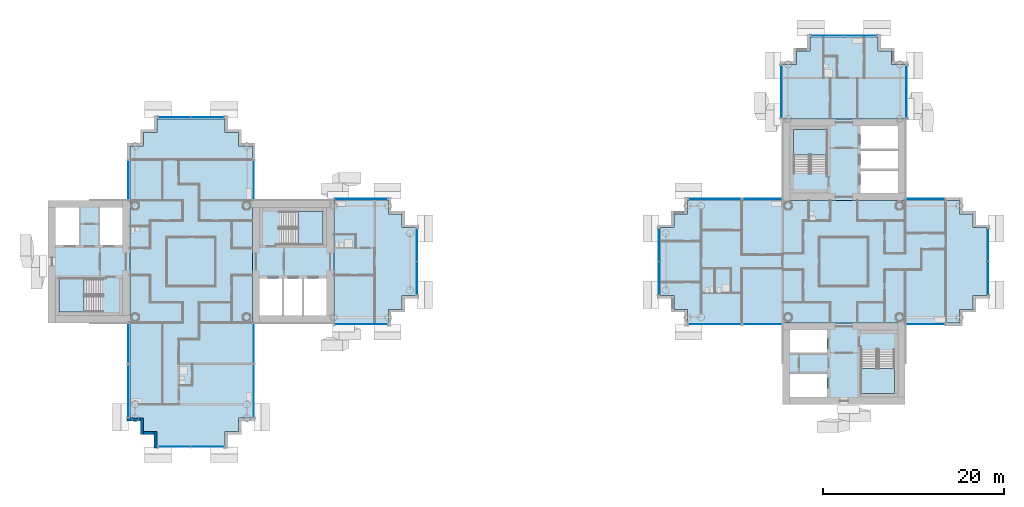
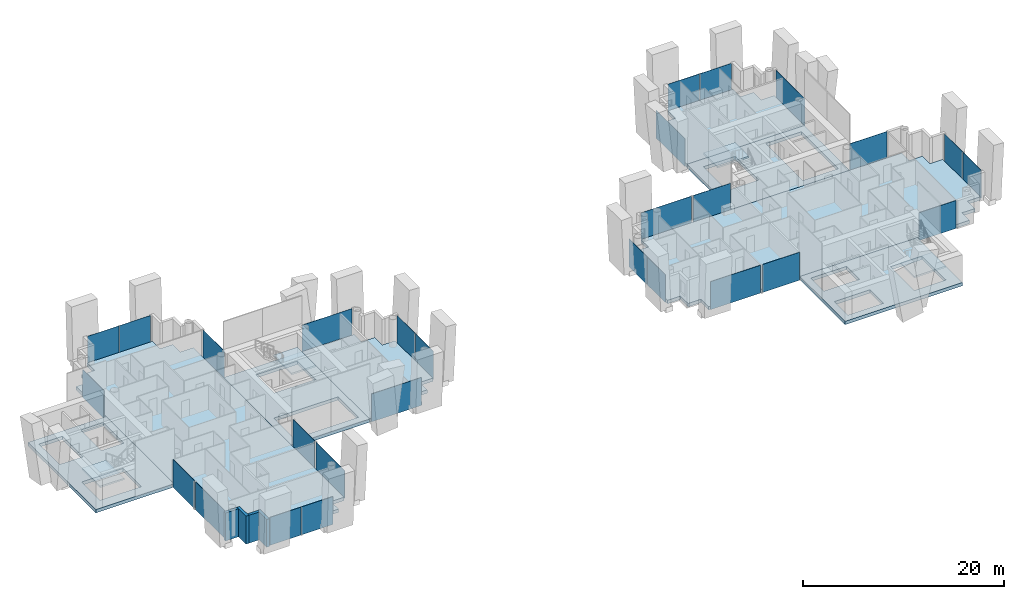
# One storey, part 5 of 19: 28 plates, 12 slabs, 4 walls, 26 elements without a shape of their own.
"""IFC4 building model written with IfcOpenShell, lengths in metres."""

from ifc_helpers import new_model, si_unit, direction, frame, frame_2d, origin, origin_2d, place, context, subcontext, project, spatial, polyline, rectangle, outline, extrude, material, layer, layer_set, type_object, element, aggregate, save


model = new_model("IFC4")

# Units and contexts
model_context = context("Model", 3, precision=1e-05, world=origin(), true_north=direction((0.0, 1.0)))
body_context = subcontext(model_context, "Body", "Model", "MODEL_VIEW")
ifc_project = project(units=[si_unit("LENGTHUNIT", "METRE"), si_unit("AREAUNIT", "SQUARE_METRE"), si_unit("VOLUMEUNIT", "CUBIC_METRE"), si_unit("PLANEANGLEUNIT", "RADIAN"), si_unit("MASSUNIT", "GRAM", prefix="KILO")], contexts=[model_context])

# Site, building, storey
site_placement = place(None, origin())
site = spatial("IfcSite", under=ifc_project, at=site_placement, CompositionType="ELEMENT")
building_placement = place(site_placement, origin())
building = spatial("IfcBuilding", under=site, at=building_placement, Name="Ipe Terrace Towers", CompositionType="ELEMENT")
storey_placement = place(building_placement, frame((0.0, 0.0, 157.5)))
storey = spatial("IfcBuildingStorey", under=building, at=storey_placement, Name="L43", CompositionType="ELEMENT", Elevation=157.5)

# Slabs
ifc_material_1 = material(Name="Concrete C30/37", Category="concrete")
ifc_layer_1 = layer(ifc_material_1, 0.39990234375)
ifc_layer_set_1 = layer_set([ifc_layer_1], Name="CORE FLOOR SLAB 400 C30-37")
slab_type_1 = type_object("IfcSlabType", Name="CORE FLOOR SLAB 400 C30-37", PredefinedType="FLOOR", material=ifc_layer_set_1)
slab_1_placement = place(storey_placement, frame((0.0, 0.0, -0.39990234375)))
element("IfcSlab", 1, at=slab_1_placement, inside=storey, type_object=slab_type_1, Name="Core floor T1-C1", PredefinedType="FLOOR", context=body_context, shape_type="SweptSolid", body=[
    extrude(outline(polyline([(-29.25, -6.75), (-29.25, 6.75), (-20.25, 6.75), (-20.25, -6.75), (-29.25, -6.75)]), holes=[polyline([(-28.449951171875, -5.949951171875), (-21.050048828125, -5.949951171875), (-21.050048828125, -1.85009765625), (-28.449951171875, -1.85009765625), (-28.449951171875, -5.949951171875)]), polyline([(-26.199951171875, 5.550048828125), (-26.199951171875, 1.89990234375), (-21.449951171875, 1.89990234375), (-21.449951171875, 5.550048828125), (-26.199951171875, 5.550048828125)])]), origin(), (0.0, 0.0, 1.0), 0.39990234375),
])
slab_2_placement = place(storey_placement, frame((0.0, 0.0, -0.39990234375)))
element("IfcSlab", 2, at=slab_2_placement, inside=storey, type_object=slab_type_1, Name="Core floor T1-C2", PredefinedType="FLOOR", context=body_context, shape_type="SweptSolid", body=[
    extrude(outline(polyline([(-51.75, -6.75), (-51.75, 6.75), (-42.75, 6.75), (-42.75, -6.75), (-51.75, -6.75)]), holes=[polyline([(-45.800048828125, -1.89990234375), (-50.550048828125, -1.89990234375), (-50.550048828125, -5.550048828125), (-45.800048828125, -5.550048828125), (-45.800048828125, -1.89990234375)]), polyline([(-48.25, 1.85009765625), (-48.25, 5.949951171875), (-50.949951171875, 5.949951171875), (-50.949951171875, 1.85009765625), (-48.25, 1.85009765625)]), polyline([(-43.550048828125, 1.85009765625), (-43.550048828125, 5.949951171875), (-46.14990234375, 5.949951171875), (-46.14990234375, 1.85009765625), (-43.550048828125, 1.85009765625)])]), origin(), (0.0, 0.0, 1.0), 0.39990234375),
])
slab_3_placement = place(storey_placement, frame((0.0, 0.0, -0.39990234375)))
element("IfcSlab", 3, at=slab_3_placement, inside=storey, type_object=slab_type_1, Name="Core floor T2-C1", PredefinedType="FLOOR", context=body_context, shape_type="SweptSolid", body=[
    extrude(outline(polyline([(29.25, 6.75), (29.25, 15.75), (42.75, 15.75), (42.75, 6.75), (29.25, 6.75)]), holes=[polyline([(41.949951171875, 7.550048828125), (41.949951171875, 14.949951171875), (37.85009765625, 14.949951171875), (37.85009765625, 7.550048828125), (41.949951171875, 7.550048828125)]), polyline([(30.449951171875, 9.800048828125), (34.10009765625, 9.800048828125), (34.10009765625, 14.550048828125), (30.449951171875, 14.550048828125), (30.449951171875, 9.800048828125)])]), origin(), (0.0, 0.0, 1.0), 0.39990234375),
])
slab_4_placement = place(storey_placement, frame((0.0, 0.0, -0.39990234375)))
element("IfcSlab", 4, at=slab_4_placement, inside=storey, type_object=slab_type_1, Name="Core floor T2-C2", PredefinedType="FLOOR", context=body_context, shape_type="SweptSolid", body=[
    extrude(outline(polyline([(29.25, -15.75), (29.25, -6.75), (42.75, -6.75), (42.75, -15.75), (29.25, -15.75)]), holes=[polyline([(30.050048828125, -12.25), (30.050048828125, -14.949951171875), (34.14990234375, -14.949951171875), (34.14990234375, -12.25), (30.050048828125, -12.25)]), polyline([(41.550048828125, -9.800048828125), (37.89990234375, -9.800048828125), (37.89990234375, -14.550048828125), (41.550048828125, -14.550048828125), (41.550048828125, -9.800048828125)]), polyline([(34.14990234375, -7.550048828125), (30.050048828125, -7.550048828125), (30.050048828125, -10.14990234375), (34.14990234375, -10.14990234375), (34.14990234375, -7.550048828125)])]), origin(), (0.0, 0.0, 1.0), 0.39990234375),
])

# Stair, slab
ifc_material_2 = material(Name="Concrete C30/37", Category="concrete")
stair_type = type_object("IfcStairType", Name="Protected exit stair", PredefinedType="HALF_TURN_STAIR", material=ifc_material_2)
stair_1_placement = place(storey_placement, origin())
stair_1 = element("IfcStair", 5, at=stair_1_placement, inside=storey, type_object=stair_type, Name="L43 Exit stair T1-C1", PredefinedType="HALF_TURN_STAIR")
ifc_material_3 = material(Name="Concrete C30/37", Category="concrete")
ifc_layer_2 = layer(ifc_material_3, 0.199951171875)
ifc_layer_set_2 = layer_set([ifc_layer_2], Name="Exit stair landing 200")
slab_type_2 = type_object("IfcSlabType", Name="Exit stair landing 200", PredefinedType="LANDING", material=ifc_layer_set_2)
slab_5_placement = place(storey_placement, frame((0.0, 0.0, 1.5)))
slab_5 = element("IfcSlab", 6, at=slab_5_placement, type_object=slab_type_2, Name="T1-ST1 landing 1", PredefinedType="LANDING", context=body_context, shape_type="SweptSolid", body=[
    extrude(outline(polyline([(-24.219970703125, 1.89990234375), (-21.449951171875, 1.89990234375), (-21.449951171875, 5.550048828125), (-24.219970703125, 5.550048828125), (-24.219970703125, 1.89990234375)])), origin(), (0.0, 0.0, 1.0), 0.199951171875),
])
aggregate(stair_1, [slab_5])

stair_2_placement = place(storey_placement, origin())
stair_2 = element("IfcStair", 7, at=stair_2_placement, inside=storey, type_object=stair_type, Name="L43 Exit stair T1-C2", PredefinedType="HALF_TURN_STAIR")
slab_6_placement = place(storey_placement, frame((0.0, 0.0, 1.5)))
slab_6 = element("IfcSlab", 8, at=slab_6_placement, type_object=slab_type_2, Name="T1-ST2 landing 1", PredefinedType="LANDING", context=body_context, shape_type="SweptSolid", body=[
    extrude(outline(polyline([(-47.780029296875, -1.89990234375), (-50.550048828125, -1.89990234375), (-50.550048828125, -5.550048828125), (-47.780029296875, -5.550048828125), (-47.780029296875, -1.89990234375)])), origin(), (0.0, 0.0, 1.0), 0.199951171875),
])
aggregate(stair_2, [slab_6])

stair_3_placement = place(storey_placement, origin())
stair_3 = element("IfcStair", 9, at=stair_3_placement, inside=storey, type_object=stair_type, Name="L43 Exit stair T2-C1", PredefinedType="HALF_TURN_STAIR")
slab_7_placement = place(storey_placement, frame((0.0, 0.0, 1.5)))
slab_7 = element("IfcSlab", 10, at=slab_7_placement, type_object=slab_type_2, Name="T2-ST1 landing 1", PredefinedType="LANDING", context=body_context, shape_type="SweptSolid", body=[
    extrude(outline(polyline([(34.10009765625, 11.780029296875), (34.10009765625, 14.550048828125), (30.449951171875, 14.550048828125), (30.449951171875, 11.780029296875), (34.10009765625, 11.780029296875)])), origin(), (0.0, 0.0, 1.0), 0.199951171875),
])
aggregate(stair_3, [slab_7])

stair_4_placement = place(storey_placement, origin())
stair_4 = element("IfcStair", 11, at=stair_4_placement, inside=storey, type_object=stair_type, Name="L43 Exit stair T2-C2", PredefinedType="HALF_TURN_STAIR")
slab_8_placement = place(storey_placement, frame((0.0, 0.0, 1.5)))
slab_8 = element("IfcSlab", 12, at=slab_8_placement, type_object=slab_type_2, Name="T2-ST2 landing 1", PredefinedType="LANDING", context=body_context, shape_type="SweptSolid", body=[
    extrude(outline(polyline([(37.89990234375, -11.780029296875), (37.89990234375, -14.550048828125), (41.550048828125, -14.550048828125), (41.550048828125, -11.780029296875), (37.89990234375, -11.780029296875)])), origin(), (0.0, 0.0, 1.0), 0.199951171875),
])
aggregate(stair_4, [slab_8])

# Slabs
ifc_material_4 = material(Name="Concrete C40/50", Category="concrete")
ifc_layer_3 = layer(ifc_material_4, 0.39990234375)
ifc_layer_set_3 = layer_set([ifc_layer_3], Name="FLAT PLATE SLAB 400 C40-50")
slab_type_3 = type_object("IfcSlabType", Name="FLAT PLATE SLAB 400 C40-50", PredefinedType="FLOOR", material=ifc_layer_set_3)
slab_9_placement = place(storey_placement, frame((0.0, 0.0, -0.39990234375)))
element("IfcSlab", 13, at=slab_9_placement, inside=storey, type_object=slab_type_3, Name="Slab T1-FS-Z31", PredefinedType="FLOOR", context=body_context, shape_type="SweptSolid", body=[
    extrude(outline(polyline([(-30.75, -17.25), (-30.75, -18.75), (-32.25, -18.75), (-32.25, -20.25), (-39.75, -20.25), (-39.75, -18.75), (-41.25, -18.75), (-41.25, -17.25), (-42.75, -17.25), (-42.75, -6.75), (-42.75, 6.75), (-42.75, 12.75), (-41.25, 12.75), (-41.25, 14.25), (-39.75, 14.25), (-39.75, 15.75), (-32.25, 15.75), (-32.25, 14.25), (-30.75, 14.25), (-30.75, 12.75), (-29.25, 12.75), (-29.25, 6.75), (-29.25, -6.75), (-29.25, -17.25), (-30.75, -17.25)])), origin(), (0.0, 0.0, 1.0), 0.39990234375),
])
slab_10_placement = place(storey_placement, frame((0.0, 0.0, -0.39990234375)))
element("IfcSlab", 14, at=slab_10_placement, inside=storey, type_object=slab_type_3, Name="Slab T1-FS-Z32", PredefinedType="FLOOR", context=body_context, shape_type="SweptSolid", body=[
    extrude(outline(polyline([(-14.25, 5.25), (-12.75, 5.25), (-12.75, 3.75), (-11.25, 3.75), (-11.25, -3.75), (-12.75, -3.75), (-12.75, -5.25), (-14.25, -5.25), (-14.25, -6.75), (-20.25, -6.75), (-20.25, 6.75), (-14.25, 6.75), (-14.25, 5.25)])), origin(), (0.0, 0.0, 1.0), 0.39990234375),
])
slab_11_placement = place(storey_placement, frame((0.0, 0.0, -0.39990234375)))
element("IfcSlab", 15, at=slab_11_placement, inside=storey, type_object=slab_type_3, Name="Slab T2-FS-Z31", PredefinedType="FLOOR", context=body_context, shape_type="SweptSolid", body=[
    extrude(outline(polyline([(48.75, 5.25), (50.25, 5.25), (50.25, 3.75), (51.75, 3.75), (51.75, -3.75), (50.25, -3.75), (50.25, -5.25), (48.75, -5.25), (48.75, -6.75), (42.75, -6.75), (29.25, -6.75), (18.75, -6.75), (18.75, -5.25), (17.25, -5.25), (17.25, -3.75), (15.75, -3.75), (15.75, 3.75), (17.25, 3.75), (17.25, 5.25), (18.75, 5.25), (18.75, 6.75), (29.25, 6.75), (42.75, 6.75), (48.75, 6.75), (48.75, 5.25)])), origin(), (0.0, 0.0, 1.0), 0.39990234375),
])
slab_12_placement = place(storey_placement, frame((0.0, 0.0, -0.39990234375)))
element("IfcSlab", 16, at=slab_12_placement, inside=storey, type_object=slab_type_3, Name="Slab T2-FS-Z32", PredefinedType="FLOOR", context=body_context, shape_type="SweptSolid", body=[
    extrude(outline(polyline([(30.75, 21.75), (30.75, 23.25), (32.25, 23.25), (32.25, 24.75), (39.75, 24.75), (39.75, 23.25), (41.25, 23.25), (41.25, 21.75), (42.75, 21.75), (42.75, 15.75), (29.25, 15.75), (29.25, 21.75), (30.75, 21.75)])), origin(), (0.0, 0.0, 1.0), 0.39990234375),
])

# Curtain wall, plate
ifc_material_5 = material(Name="Aluminium alloy 6063-T6", Category="aluminium")
ifc_layer_4 = layer(ifc_material_5, 0.320068359375)
ifc_layer_set_4 = layer_set([ifc_layer_4], Name="TOWER UNITISED CURTAIN WALL")
curtain_wall_type = type_object("IfcCurtainWallType", Name="TOWER UNITISED CURTAIN WALL", PredefinedType="NOTDEFINED", material=ifc_layer_set_4)
curtain_wall_1_placement = place(storey_placement, origin())
curtain_wall_1 = element("IfcCurtainWall", 17, at=curtain_wall_1_placement, inside=storey, type_object=curtain_wall_type, Name="T1-CW-L43-02a curtain wall", PredefinedType="NOTDEFINED")
ifc_material_6 = material(Name="Glass, clear laminated", Category="glass")
ifc_layer_5 = layer(ifc_material_6, 0.031982421875)
ifc_layer_set_5 = layer_set([ifc_layer_5], Name="TOWER UNITISED GLASS PANEL 32")
plate_type = type_object("IfcPlateType", Name="TOWER UNITISED GLASS PANEL 32", PredefinedType="CURTAIN_PANEL", material=ifc_layer_set_5)
plate_1_placement = place(storey_placement, frame((-42.909912109375, -9.0, -0.300048828125), z_axis=(0.0, 0.0, 1.0), x_axis=(0.0, -1.0, 0.0)))
plate_1 = element("IfcPlate", 18, at=plate_1_placement, type_object=plate_type, Name="T1-CW-L43-02a panel 1", PredefinedType="CURTAIN_PANEL", context=body_context, shape_type="SweptSolid", body=[
    extrude(rectangle(XDim=4.260009765625, YDim=0.031982421875, at=origin_2d()), origin(), (0.0, 0.0, 1.0), 3.39990234375),
])
aggregate(curtain_wall_1, [plate_1])

curtain_wall_2_placement = place(storey_placement, origin())
curtain_wall_2 = element("IfcCurtainWall", 19, at=curtain_wall_2_placement, inside=storey, type_object=curtain_wall_type, Name="T1-CW-L43-03a curtain wall", PredefinedType="NOTDEFINED")
plate_2_placement = place(storey_placement, frame((-42.909912109375, -14.25, -0.300048828125), z_axis=(0.0, 0.0, 1.0), x_axis=(0.0, -1.0, 0.0)))
plate_2 = element("IfcPlate", 20, at=plate_2_placement, type_object=plate_type, Name="T1-CW-L43-03a panel 1", PredefinedType="CURTAIN_PANEL", context=body_context, shape_type="SweptSolid", body=[
    extrude(rectangle(XDim=5.760009765625, YDim=0.031982421875, at=origin_2d()), origin(), (0.0, 0.0, 1.0), 3.39990234375),
])
aggregate(curtain_wall_2, [plate_2])

# Curtain wall, plates
curtain_wall_3_placement = place(storey_placement, origin())
curtain_wall_3 = element("IfcCurtainWall", 21, at=curtain_wall_3_placement, inside=storey, type_object=curtain_wall_type, Name="T1-CW-L43-08a curtain wall", PredefinedType="NOTDEFINED")
plate_3_placement = place(storey_placement, frame((-37.831298828125, -20.409912109375, -0.300048828125), z_axis=(0.0, 0.0, 1.0), x_axis=(1.0, 0.0, 0.0)))
plate_3 = element("IfcPlate", 22, at=plate_3_placement, type_object=plate_type, Name="T1-CW-L43-08a panel 1", PredefinedType="CURTAIN_PANEL", context=body_context, shape_type="SweptSolid", body=[
    extrude(rectangle(XDim=3.597412109375, YDim=0.031982421875, at=origin_2d()), origin(), (0.0, 0.0, 1.0), 3.39990234375),
])
plate_4_placement = place(storey_placement, frame((-34.168701171875, -20.409912109375, -0.300048828125), z_axis=(0.0, 0.0, 1.0), x_axis=(1.0, 0.0, 0.0)))
plate_4 = element("IfcPlate", 23, at=plate_4_placement, type_object=plate_type, Name="T1-CW-L43-08a panel 2", PredefinedType="CURTAIN_PANEL", context=body_context, shape_type="SweptSolid", body=[
    extrude(rectangle(XDim=3.597412109375, YDim=0.031982421875, at=origin_2d()), origin(), (0.0, 0.0, 1.0), 3.39990234375),
])
aggregate(curtain_wall_3, [plate_3, plate_4])

# Curtain wall, plate
curtain_wall_4_placement = place(storey_placement, origin())
curtain_wall_4 = element("IfcCurtainWall", 24, at=curtain_wall_4_placement, inside=storey, type_object=curtain_wall_type, Name="T1-CW-L43-13a curtain wall", PredefinedType="NOTDEFINED")
plate_5_placement = place(storey_placement, frame((-29.090087890625, -14.25, -0.300048828125), z_axis=(0.0, 0.0, 1.0), x_axis=(0.0, 1.0, 0.0)))
plate_5 = element("IfcPlate", 25, at=plate_5_placement, type_object=plate_type, Name="T1-CW-L43-13a panel 1", PredefinedType="CURTAIN_PANEL", context=body_context, shape_type="SweptSolid", body=[
    extrude(rectangle(XDim=5.760009765625, YDim=0.031982421875, at=origin_2d()), origin(), (0.0, 0.0, 1.0), 3.39990234375),
])
aggregate(curtain_wall_4, [plate_5])

curtain_wall_5_placement = place(storey_placement, origin())
curtain_wall_5 = element("IfcCurtainWall", 26, at=curtain_wall_5_placement, inside=storey, type_object=curtain_wall_type, Name="T1-CW-L43-14a curtain wall", PredefinedType="NOTDEFINED")
plate_6_placement = place(storey_placement, frame((-29.090087890625, -9.0, -0.300048828125), z_axis=(0.0, 0.0, 1.0), x_axis=(0.0, 1.0, 0.0)))
plate_6 = element("IfcPlate", 27, at=plate_6_placement, type_object=plate_type, Name="T1-CW-L43-14a panel 1", PredefinedType="CURTAIN_PANEL", context=body_context, shape_type="SweptSolid", body=[
    extrude(rectangle(XDim=4.260009765625, YDim=0.031982421875, at=origin_2d()), origin(), (0.0, 0.0, 1.0), 3.39990234375),
])
aggregate(curtain_wall_5, [plate_6])

curtain_wall_6_placement = place(storey_placement, origin())
curtain_wall_6 = element("IfcCurtainWall", 28, at=curtain_wall_6_placement, inside=storey, type_object=curtain_wall_type, Name="T1-CW-L43-16b curtain wall", PredefinedType="NOTDEFINED")
plate_7_placement = place(storey_placement, frame((-17.24951171875, -6.909912109375, -0.300048828125), z_axis=(0.0, 0.0, 1.0), x_axis=(1.0, 0.0, 0.0)))
plate_7 = element("IfcPlate", 29, at=plate_7_placement, type_object=plate_type, Name="T1-CW-L43-16b panel 1", PredefinedType="CURTAIN_PANEL", context=body_context, shape_type="SweptSolid", body=[
    extrude(rectangle(XDim=5.759033203125, YDim=0.031982421875, at=origin_2d()), origin(), (0.0, 0.0, 1.0), 3.39990234375),
])
aggregate(curtain_wall_6, [plate_7])

# Curtain wall, plates
curtain_wall_7_placement = place(storey_placement, origin())
curtain_wall_7 = element("IfcCurtainWall", 30, at=curtain_wall_7_placement, inside=storey, type_object=curtain_wall_type, Name="T1-CW-L43-21a curtain wall", PredefinedType="NOTDEFINED")
plate_8_placement = place(storey_placement, frame((-11.090087890625, -1.831298828125, -0.300048828125), z_axis=(0.0, 0.0, 1.0), x_axis=(0.0, 1.0, 0.0)))
plate_8 = element("IfcPlate", 31, at=plate_8_placement, type_object=plate_type, Name="T1-CW-L43-21a panel 1", PredefinedType="CURTAIN_PANEL", context=body_context, shape_type="SweptSolid", body=[
    extrude(rectangle(XDim=3.597412109375, YDim=0.031982421875, at=origin_2d()), origin(), (0.0, 0.0, 1.0), 3.39990234375),
])
plate_9_placement = place(storey_placement, frame((-11.090087890625, 1.831298828125, -0.300048828125), z_axis=(0.0, 0.0, 1.0), x_axis=(0.0, 1.0, 0.0)))
plate_9 = element("IfcPlate", 32, at=plate_9_placement, type_object=plate_type, Name="T1-CW-L43-21a panel 2", PredefinedType="CURTAIN_PANEL", context=body_context, shape_type="SweptSolid", body=[
    extrude(rectangle(XDim=3.597412109375, YDim=0.031982421875, at=origin_2d()), origin(), (0.0, 0.0, 1.0), 3.39990234375),
])
aggregate(curtain_wall_7, [plate_8, plate_9])

# Curtain wall, plate
curtain_wall_8_placement = place(storey_placement, origin())
curtain_wall_8 = element("IfcCurtainWall", 33, at=curtain_wall_8_placement, inside=storey, type_object=curtain_wall_type, Name="T1-CW-L43-26a curtain wall", PredefinedType="NOTDEFINED")
plate_10_placement = place(storey_placement, frame((-17.24951171875, 6.909912109375, -0.300048828125), z_axis=(0.0, 0.0, 1.0), x_axis=(-1.0, 0.0, 0.0)))
plate_10 = element("IfcPlate", 34, at=plate_10_placement, type_object=plate_type, Name="T1-CW-L43-26a panel 1", PredefinedType="CURTAIN_PANEL", context=body_context, shape_type="SweptSolid", body=[
    extrude(rectangle(XDim=5.759033203125, YDim=0.031982421875, at=origin_2d()), origin(), (0.0, 0.0, 1.0), 3.39990234375),
])
aggregate(curtain_wall_8, [plate_10])

curtain_wall_9_placement = place(storey_placement, origin())
curtain_wall_9 = element("IfcCurtainWall", 35, at=curtain_wall_9_placement, inside=storey, type_object=curtain_wall_type, Name="T1-CW-L43-28a curtain wall", PredefinedType="NOTDEFINED")
plate_11_placement = place(storey_placement, frame((-29.090087890625, 9.0, -0.300048828125), z_axis=(0.0, 0.0, 1.0), x_axis=(0.0, 1.0, 0.0)))
plate_11 = element("IfcPlate", 36, at=plate_11_placement, type_object=plate_type, Name="T1-CW-L43-28a panel 1", PredefinedType="CURTAIN_PANEL", context=body_context, shape_type="SweptSolid", body=[
    extrude(rectangle(XDim=4.260009765625, YDim=0.031982421875, at=origin_2d()), origin(), (0.0, 0.0, 1.0), 3.39990234375),
])
aggregate(curtain_wall_9, [plate_11])

# Curtain wall, plates
curtain_wall_10_placement = place(storey_placement, origin())
curtain_wall_10 = element("IfcCurtainWall", 37, at=curtain_wall_10_placement, inside=storey, type_object=curtain_wall_type, Name="T1-CW-L43-34a curtain wall", PredefinedType="NOTDEFINED")
plate_12_placement = place(storey_placement, frame((-34.168701171875, 15.909912109375, -0.300048828125), z_axis=(0.0, 0.0, 1.0), x_axis=(-1.0, 0.0, 0.0)))
plate_12 = element("IfcPlate", 38, at=plate_12_placement, type_object=plate_type, Name="T1-CW-L43-34a panel 1", PredefinedType="CURTAIN_PANEL", context=body_context, shape_type="SweptSolid", body=[
    extrude(rectangle(XDim=3.597412109375, YDim=0.031982421875, at=origin_2d()), origin(), (0.0, 0.0, 1.0), 3.39990234375),
])
plate_13_placement = place(storey_placement, frame((-37.831298828125, 15.909912109375, -0.300048828125), z_axis=(0.0, 0.0, 1.0), x_axis=(-1.0, 0.0, 0.0)))
plate_13 = element("IfcPlate", 39, at=plate_13_placement, type_object=plate_type, Name="T1-CW-L43-34a panel 2", PredefinedType="CURTAIN_PANEL", context=body_context, shape_type="SweptSolid", body=[
    extrude(rectangle(XDim=3.597412109375, YDim=0.031982421875, at=origin_2d()), origin(), (0.0, 0.0, 1.0), 3.39990234375),
])
aggregate(curtain_wall_10, [plate_12, plate_13])

# Curtain wall, plate
curtain_wall_11_placement = place(storey_placement, origin())
curtain_wall_11 = element("IfcCurtainWall", 40, at=curtain_wall_11_placement, inside=storey, type_object=curtain_wall_type, Name="T1-CW-L43-40a curtain wall", PredefinedType="NOTDEFINED")
plate_14_placement = place(storey_placement, frame((-42.909912109375, 9.0, -0.300048828125), z_axis=(0.0, 0.0, 1.0), x_axis=(0.0, -1.0, 0.0)))
plate_14 = element("IfcPlate", 41, at=plate_14_placement, type_object=plate_type, Name="T1-CW-L43-40a panel 1", PredefinedType="CURTAIN_PANEL", context=body_context, shape_type="SweptSolid", body=[
    extrude(rectangle(XDim=4.260009765625, YDim=0.031982421875, at=origin_2d()), origin(), (0.0, 0.0, 1.0), 3.39990234375),
])
aggregate(curtain_wall_11, [plate_14])

curtain_wall_12_placement = place(storey_placement, origin())
curtain_wall_12 = element("IfcCurtainWall", 42, at=curtain_wall_12_placement, inside=storey, type_object=curtain_wall_type, Name="T2-CW-L43-02a curtain wall", PredefinedType="NOTDEFINED")
plate_15_placement = place(storey_placement, frame((45.0, -6.909912109375, -0.300048828125), z_axis=(0.0, 0.0, 1.0), x_axis=(1.0, 0.0, 0.0)))
plate_15 = element("IfcPlate", 43, at=plate_15_placement, type_object=plate_type, Name="T2-CW-L43-02a panel 1", PredefinedType="CURTAIN_PANEL", context=body_context, shape_type="SweptSolid", body=[
    extrude(rectangle(XDim=4.260009765625, YDim=0.031982421875, at=origin_2d()), origin(), (0.0, 0.0, 1.0), 3.39990234375),
])
aggregate(curtain_wall_12, [plate_15])

# Curtain wall, plates
curtain_wall_13_placement = place(storey_placement, origin())
curtain_wall_13 = element("IfcCurtainWall", 44, at=curtain_wall_13_placement, inside=storey, type_object=curtain_wall_type, Name="T2-CW-L43-08a curtain wall", PredefinedType="NOTDEFINED")
plate_16_placement = place(storey_placement, frame((51.909912109375, -1.831298828125, -0.300048828125), z_axis=(0.0, 0.0, 1.0), x_axis=(0.0, 1.0, 0.0)))
plate_16 = element("IfcPlate", 45, at=plate_16_placement, type_object=plate_type, Name="T2-CW-L43-08a panel 1", PredefinedType="CURTAIN_PANEL", context=body_context, shape_type="SweptSolid", body=[
    extrude(rectangle(XDim=3.597412109375, YDim=0.031982421875, at=origin_2d()), origin(), (0.0, 0.0, 1.0), 3.39990234375),
])
plate_17_placement = place(storey_placement, frame((51.909912109375, 1.831298828125, -0.300048828125), z_axis=(0.0, 0.0, 1.0), x_axis=(0.0, 1.0, 0.0)))
plate_17 = element("IfcPlate", 46, at=plate_17_placement, type_object=plate_type, Name="T2-CW-L43-08a panel 2", PredefinedType="CURTAIN_PANEL", context=body_context, shape_type="SweptSolid", body=[
    extrude(rectangle(XDim=3.597412109375, YDim=0.031982421875, at=origin_2d()), origin(), (0.0, 0.0, 1.0), 3.39990234375),
])
aggregate(curtain_wall_13, [plate_16, plate_17])

# Curtain wall, plate
curtain_wall_14_placement = place(storey_placement, origin())
curtain_wall_14 = element("IfcCurtainWall", 47, at=curtain_wall_14_placement, inside=storey, type_object=curtain_wall_type, Name="T2-CW-L43-14a curtain wall", PredefinedType="NOTDEFINED")
plate_18_placement = place(storey_placement, frame((45.0, 6.909912109375, -0.300048828125), z_axis=(0.0, 0.0, 1.0), x_axis=(-1.0, 0.0, 0.0)))
plate_18 = element("IfcPlate", 48, at=plate_18_placement, type_object=plate_type, Name="T2-CW-L43-14a panel 1", PredefinedType="CURTAIN_PANEL", context=body_context, shape_type="SweptSolid", body=[
    extrude(rectangle(XDim=4.260009765625, YDim=0.031982421875, at=origin_2d()), origin(), (0.0, 0.0, 1.0), 3.39990234375),
])
aggregate(curtain_wall_14, [plate_18])

curtain_wall_15_placement = place(storey_placement, origin())
curtain_wall_15 = element("IfcCurtainWall", 49, at=curtain_wall_15_placement, inside=storey, type_object=curtain_wall_type, Name="T2-CW-L43-16b curtain wall", PredefinedType="NOTDEFINED")
plate_19_placement = place(storey_placement, frame((42.909912109375, 18.75048828125, -0.300048828125), z_axis=(0.0, 0.0, 1.0), x_axis=(0.0, 1.0, 0.0)))
plate_19 = element("IfcPlate", 50, at=plate_19_placement, type_object=plate_type, Name="T2-CW-L43-16b panel 1", PredefinedType="CURTAIN_PANEL", context=body_context, shape_type="SweptSolid", body=[
    extrude(rectangle(XDim=5.759033203125, YDim=0.031982421875, at=origin_2d()), origin(), (0.0, 0.0, 1.0), 3.39990234375),
])
aggregate(curtain_wall_15, [plate_19])

# Curtain wall, plates
curtain_wall_16_placement = place(storey_placement, origin())
curtain_wall_16 = element("IfcCurtainWall", 51, at=curtain_wall_16_placement, inside=storey, type_object=curtain_wall_type, Name="T2-CW-L43-21a curtain wall", PredefinedType="NOTDEFINED")
plate_20_placement = place(storey_placement, frame((37.831298828125, 24.909912109375, -0.300048828125), z_axis=(0.0, 0.0, 1.0), x_axis=(-1.0, 0.0, 0.0)))
plate_20 = element("IfcPlate", 52, at=plate_20_placement, type_object=plate_type, Name="T2-CW-L43-21a panel 1", PredefinedType="CURTAIN_PANEL", context=body_context, shape_type="SweptSolid", body=[
    extrude(rectangle(XDim=3.597412109375, YDim=0.031982421875, at=origin_2d()), origin(), (0.0, 0.0, 1.0), 3.39990234375),
])
plate_21_placement = place(storey_placement, frame((34.168701171875, 24.909912109375, -0.300048828125), z_axis=(0.0, 0.0, 1.0), x_axis=(-1.0, 0.0, 0.0)))
plate_21 = element("IfcPlate", 53, at=plate_21_placement, type_object=plate_type, Name="T2-CW-L43-21a panel 2", PredefinedType="CURTAIN_PANEL", context=body_context, shape_type="SweptSolid", body=[
    extrude(rectangle(XDim=3.597412109375, YDim=0.031982421875, at=origin_2d()), origin(), (0.0, 0.0, 1.0), 3.39990234375),
])
aggregate(curtain_wall_16, [plate_20, plate_21])

# Curtain wall, plate
curtain_wall_17_placement = place(storey_placement, origin())
curtain_wall_17 = element("IfcCurtainWall", 54, at=curtain_wall_17_placement, inside=storey, type_object=curtain_wall_type, Name="T2-CW-L43-26a curtain wall", PredefinedType="NOTDEFINED")
plate_22_placement = place(storey_placement, frame((29.090087890625, 18.75048828125, -0.300048828125), z_axis=(0.0, 0.0, 1.0), x_axis=(0.0, -1.0, 0.0)))
plate_22 = element("IfcPlate", 55, at=plate_22_placement, type_object=plate_type, Name="T2-CW-L43-26a panel 1", PredefinedType="CURTAIN_PANEL", context=body_context, shape_type="SweptSolid", body=[
    extrude(rectangle(XDim=5.759033203125, YDim=0.031982421875, at=origin_2d()), origin(), (0.0, 0.0, 1.0), 3.39990234375),
])
aggregate(curtain_wall_17, [plate_22])

curtain_wall_18_placement = place(storey_placement, origin())
curtain_wall_18 = element("IfcCurtainWall", 56, at=curtain_wall_18_placement, inside=storey, type_object=curtain_wall_type, Name="T2-CW-L43-28a curtain wall", PredefinedType="NOTDEFINED")
plate_23_placement = place(storey_placement, frame((27.0, 6.909912109375, -0.300048828125), z_axis=(0.0, 0.0, 1.0), x_axis=(-1.0, 0.0, 0.0)))
plate_23 = element("IfcPlate", 57, at=plate_23_placement, type_object=plate_type, Name="T2-CW-L43-28a panel 1", PredefinedType="CURTAIN_PANEL", context=body_context, shape_type="SweptSolid", body=[
    extrude(rectangle(XDim=4.260009765625, YDim=0.031982421875, at=origin_2d()), origin(), (0.0, 0.0, 1.0), 3.39990234375),
])
aggregate(curtain_wall_18, [plate_23])

curtain_wall_19_placement = place(storey_placement, origin())
curtain_wall_19 = element("IfcCurtainWall", 58, at=curtain_wall_19_placement, inside=storey, type_object=curtain_wall_type, Name="T2-CW-L43-29a curtain wall", PredefinedType="NOTDEFINED")
plate_24_placement = place(storey_placement, frame((21.75, 6.909912109375, -0.300048828125), z_axis=(0.0, 0.0, 1.0), x_axis=(-1.0, 0.0, 0.0)))
plate_24 = element("IfcPlate", 59, at=plate_24_placement, type_object=plate_type, Name="T2-CW-L43-29a panel 1", PredefinedType="CURTAIN_PANEL", context=body_context, shape_type="SweptSolid", body=[
    extrude(rectangle(XDim=5.760009765625, YDim=0.031982421875, at=origin_2d()), origin(), (0.0, 0.0, 1.0), 3.39990234375),
])
aggregate(curtain_wall_19, [plate_24])

# Curtain wall, plates
curtain_wall_20_placement = place(storey_placement, origin())
curtain_wall_20 = element("IfcCurtainWall", 60, at=curtain_wall_20_placement, inside=storey, type_object=curtain_wall_type, Name="T2-CW-L43-34a curtain wall", PredefinedType="NOTDEFINED")
plate_25_placement = place(storey_placement, frame((15.590087890625, 1.831298828125, -0.300048828125), z_axis=(0.0, 0.0, 1.0), x_axis=(0.0, -1.0, 0.0)))
plate_25 = element("IfcPlate", 61, at=plate_25_placement, type_object=plate_type, Name="T2-CW-L43-34a panel 1", PredefinedType="CURTAIN_PANEL", context=body_context, shape_type="SweptSolid", body=[
    extrude(rectangle(XDim=3.597412109375, YDim=0.031982421875, at=origin_2d()), origin(), (0.0, 0.0, 1.0), 3.39990234375),
])
plate_26_placement = place(storey_placement, frame((15.590087890625, -1.831298828125, -0.300048828125), z_axis=(0.0, 0.0, 1.0), x_axis=(0.0, -1.0, 0.0)))
plate_26 = element("IfcPlate", 62, at=plate_26_placement, type_object=plate_type, Name="T2-CW-L43-34a panel 2", PredefinedType="CURTAIN_PANEL", context=body_context, shape_type="SweptSolid", body=[
    extrude(rectangle(XDim=3.597412109375, YDim=0.031982421875, at=origin_2d()), origin(), (0.0, 0.0, 1.0), 3.39990234375),
])
aggregate(curtain_wall_20, [plate_25, plate_26])

# Curtain wall, plate
curtain_wall_21_placement = place(storey_placement, origin())
curtain_wall_21 = element("IfcCurtainWall", 63, at=curtain_wall_21_placement, inside=storey, type_object=curtain_wall_type, Name="T2-CW-L43-39a curtain wall", PredefinedType="NOTDEFINED")
plate_27_placement = place(storey_placement, frame((21.75, -6.909912109375, -0.300048828125), z_axis=(0.0, 0.0, 1.0), x_axis=(1.0, 0.0, 0.0)))
plate_27 = element("IfcPlate", 64, at=plate_27_placement, type_object=plate_type, Name="T2-CW-L43-39a panel 1", PredefinedType="CURTAIN_PANEL", context=body_context, shape_type="SweptSolid", body=[
    extrude(rectangle(XDim=5.760009765625, YDim=0.031982421875, at=origin_2d()), origin(), (0.0, 0.0, 1.0), 3.39990234375),
])
aggregate(curtain_wall_21, [plate_27])

curtain_wall_22_placement = place(storey_placement, origin())
curtain_wall_22 = element("IfcCurtainWall", 65, at=curtain_wall_22_placement, inside=storey, type_object=curtain_wall_type, Name="T2-CW-L43-40a curtain wall", PredefinedType="NOTDEFINED")
plate_28_placement = place(storey_placement, frame((27.0, -6.909912109375, -0.300048828125), z_axis=(0.0, 0.0, 1.0), x_axis=(1.0, 0.0, 0.0)))
plate_28 = element("IfcPlate", 66, at=plate_28_placement, type_object=plate_type, Name="T2-CW-L43-40a panel 1", PredefinedType="CURTAIN_PANEL", context=body_context, shape_type="SweptSolid", body=[
    extrude(rectangle(XDim=4.260009765625, YDim=0.031982421875, at=origin_2d()), origin(), (0.0, 0.0, 1.0), 3.39990234375),
])
aggregate(curtain_wall_22, [plate_28])

# Walls
ifc_material_7 = material(Name="Concrete C40/50 with buff precast cladding", Category="concrete")
ifc_layer_6 = layer(ifc_material_7, 0.320068359375)
ifc_layer_set_6 = layer_set([ifc_layer_6], Name="BUFF CLADDING WALL 320")
wall_type = type_object("IfcWallType", Name="BUFF CLADDING WALL 320", PredefinedType="STANDARD", material=ifc_layer_set_6)
wall_1_placement = place(storey_placement, frame((-43.070068359375, -17.409912109375, -0.300048828125), z_axis=(0.0, 0.0, 1.0), x_axis=(1.0, 0.0, 0.0)))
element("IfcWall", 67, at=wall_1_placement, inside=storey, type_object=wall_type, Name="T1-W-L43-04a wall", PredefinedType="STANDARD", context=body_context, shape_type="SweptSolid", body=[
    extrude(rectangle(XDim=1.5, YDim=0.320068359375, at=frame_2d((0.75, 0.0))), origin(), (0.0, 0.0, 1.0), 3.400146484375),
])
wall_2_placement = place(storey_placement, frame((-41.409912109375, -17.25, -0.300048828125), z_axis=(0.0, 0.0, 1.0), x_axis=(0.0, -1.0, 0.0)))
element("IfcWall", 68, at=wall_2_placement, inside=storey, type_object=wall_type, Name="T1-W-L43-05a wall", PredefinedType="STANDARD", context=body_context, shape_type="SweptSolid", body=[
    extrude(rectangle(XDim=1.820068359375, YDim=0.320068359375, at=frame_2d((0.91015625, 0.0))), origin(), (0.0, 0.0, 1.0), 3.400146484375),
])
wall_3_placement = place(storey_placement, frame((-41.25, -18.909912109375, -0.300048828125), z_axis=(0.0, 0.0, 1.0), x_axis=(1.0, 0.0, 0.0)))
element("IfcWall", 69, at=wall_3_placement, inside=storey, type_object=wall_type, Name="T1-W-L43-06a wall", PredefinedType="STANDARD", context=body_context, shape_type="SweptSolid", body=[
    extrude(rectangle(XDim=1.179931640625, YDim=0.320068359375, at=frame_2d((0.58984375, 0.0))), origin(), (0.0, 0.0, 1.0), 3.400146484375),
])
wall_4_placement = place(storey_placement, frame((-39.909912109375, -18.75, -0.300048828125), z_axis=(0.0, 0.0, 1.0), x_axis=(0.0, -1.0, 0.0)))
element("IfcWall", 70, at=wall_4_placement, inside=storey, type_object=wall_type, Name="T1-W-L43-07a wall", PredefinedType="STANDARD", context=body_context, shape_type="SweptSolid", body=[
    extrude(rectangle(XDim=1.820068359375, YDim=0.320068359375, at=frame_2d((0.91015625, 0.0))), origin(), (0.0, 0.0, 1.0), 3.400146484375),
])

save(model, "model.ifc")
